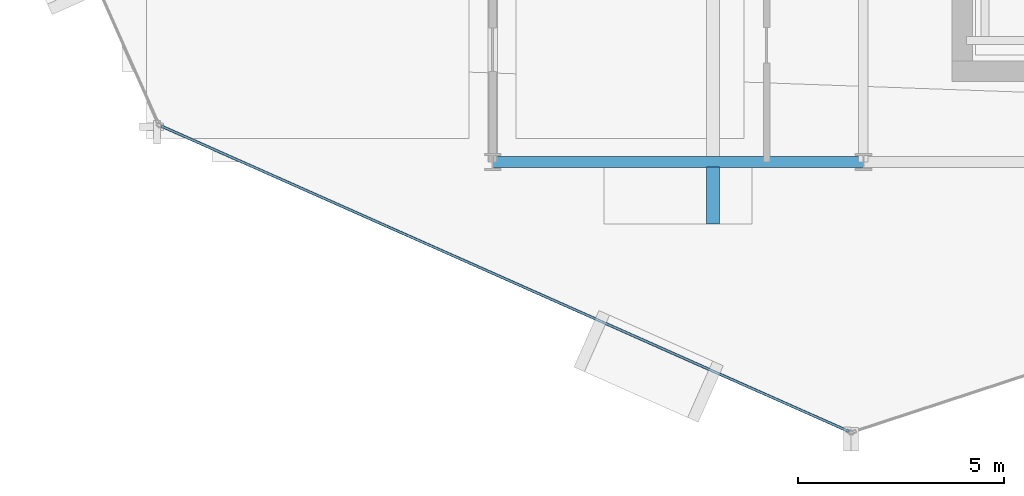
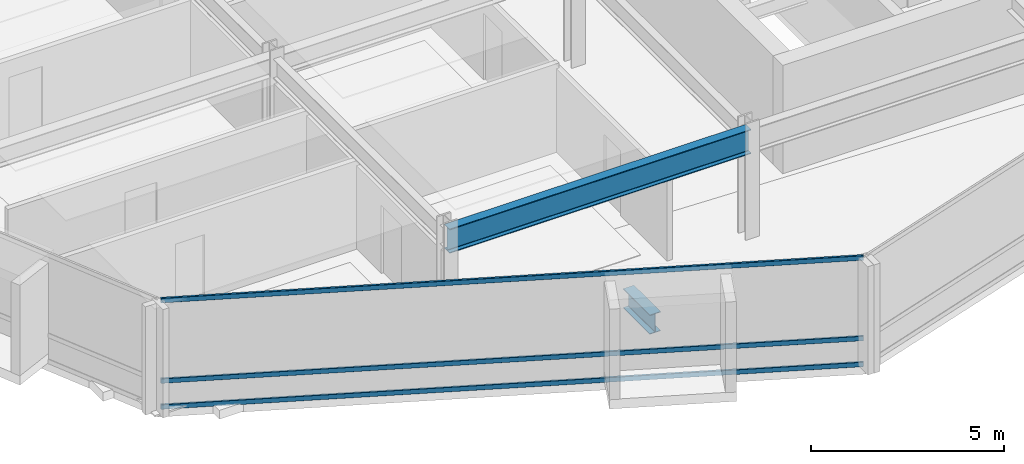
# One storey, part 3 of 27: 3 members, 2 beams, 1 element without a shape of its own.
"""IFC4 building model written with IfcOpenShell, lengths in metres."""

from ifc_helpers import new_model, si_unit, direction, frame, origin, origin_2d, place, context, subcontext, project, spatial, hollow_rectangle, i_section, extrude, material, layer, layer_set, material_profile, profile_set, type_object, element, aggregate, save


model = new_model("IFC4")

# Units and contexts
model_context = context("Model", 3, precision=1e-05, world=origin(), true_north=direction((0.0, 1.0)))
body_context = subcontext(model_context, "Body", "Model", "MODEL_VIEW")
ifc_project = project(units=[si_unit("LENGTHUNIT", "METRE"), si_unit("AREAUNIT", "SQUARE_METRE"), si_unit("VOLUMEUNIT", "CUBIC_METRE"), si_unit("PLANEANGLEUNIT", "RADIAN"), si_unit("MASSUNIT", "GRAM", prefix="KILO")], contexts=[model_context])

# Site, building, storey
site_placement = place(None, origin())
site = spatial("IfcSite", under=ifc_project, at=site_placement, CompositionType="ELEMENT")
building_placement = place(site_placement, origin())
building = spatial("IfcBuilding", under=site, at=building_placement, Name="Solvaryn Broadcast Tower", CompositionType="ELEMENT")
storey_placement = place(building_placement, frame((0.0, 0.0, 174.199951171875)))
storey = spatial("IfcBuildingStorey", under=building, at=storey_placement, Name="L43", CompositionType="ELEMENT", Elevation=174.199951171875)

# Beams
ifc_material_1 = material(Name="Steel ASTM A992 Grade 50", Category="steel")
ifc_material_profile_1 = material_profile(ifc_material_1, i_section(OverallWidth=0.323974609375, OverallDepth=0.611083984375, WebThickness=0.0126953125, FlangeThickness=0.01904296875, FilletRadius=0.014892578125, at=origin_2d()))
ifc_profile_set_1 = profile_set([ifc_material_profile_1], Name="Steel ASTM A992 Grade 50")
beam_type_1 = type_object("IfcBeamType", Name="BM-CANT-TER", PredefinedType="BEAM", material=ifc_profile_set_1)
beam_1_placement = place(storey_placement, frame((23.35009765625, 8.875, -0.58544921875), z_axis=(0.0, -1.0, 0.0), x_axis=(1.0, 0.0, 0.0)))
element("IfcBeam", 1, at=beam_1_placement, inside=storey, type_object=beam_type_1, Name="L43 Bay-Box Cantilever Bracket 1", PredefinedType="BEAM", context=body_context, shape_type="SweptSolid", body=[
    extrude(i_section(OverallWidth=0.323974609375, OverallDepth=0.611083984375, WebThickness=0.0126953125, FlangeThickness=0.01904296875, FilletRadius=0.014892578125, at=origin_2d()), origin(), (0.0, 0.0, 1.0), 1.375),
])
ifc_material_2 = material(Name="Steel ASTM A992 Grade 50", Category="steel")
ifc_material_profile_2 = material_profile(ifc_material_2, i_section(OverallWidth=0.26708984375, OverallDepth=0.76611328125, WebThickness=0.014892578125, FlangeThickness=0.023681640625, FilletRadius=0.01806640625, at=origin_2d()))
ifc_profile_set_2 = profile_set([ifc_material_profile_2], Name="Steel ASTM A992 Grade 50")
beam_type_2 = type_object("IfcBeamType", Name="BM-SP2-W30X124", PredefinedType="USERDEFINED", material=ifc_profile_set_2)
beam_2_placement = place(storey_placement, frame((18.0, 9.0, 3.037109375), z_axis=(1.0, 0.0, 0.0), x_axis=(0.0, 1.0, 0.0)))
element("IfcBeam", 2, at=beam_2_placement, inside=storey, type_object=beam_type_2, Name="L43 Spandrel Beam X (18-27 @ Y=9)", ObjectType="SPANDREL", PredefinedType="USERDEFINED", context=body_context, shape_type="SweptSolid", body=[
    extrude(i_section(OverallWidth=0.26708984375, OverallDepth=0.76611328125, WebThickness=0.014892578125, FlangeThickness=0.023681640625, FilletRadius=0.01806640625, at=origin_2d()), origin(), (0.0, 0.0, 1.0), 9.0),
])

# Curtain wall, members
ifc_material_3 = material(Name="Aluminium and Terracotta Unitised Curtain Wall", Category="masonry")
ifc_layer = layer(ifc_material_3, 0.199951171875)
ifc_layer_set = layer_set([ifc_layer], Name="CW-SYS2-LOWMID")
curtain_wall_type = type_object("IfcCurtainWallType", Name="CW-SYS2-LOWMID", PredefinedType="NOTDEFINED", material=ifc_layer_set)
curtain_wall_placement = place(storey_placement, origin())
curtain_wall = element("IfcCurtainWall", 3, at=curtain_wall_placement, inside=storey, type_object=curtain_wall_type, Name="L43 Curtain Wall DR3", PredefinedType="NOTDEFINED")
ifc_material_4 = material(Name="Anodised Aluminium 6063-T6", Category="aluminium")
ifc_material_profile_3 = material_profile(ifc_material_4, hollow_rectangle(XDim=0.06494140625, YDim=0.14990234375, WallThickness=0.00390625, InnerFilletRadius=0.00390625, OuterFilletRadius=0.008056640625, at=origin_2d()))
ifc_profile_set_3 = profile_set([ifc_material_profile_3], Name="Anodised Aluminium 6063-T6")
member_type = type_object("IfcMemberType", Name="CW-TRN-150", PredefinedType="USERDEFINED", material=ifc_profile_set_3)
member_1_placement = place(storey_placement, frame((9.952880859375, 9.87353515625, 0.030029296875), z_axis=(0.913916761992, -0.405901653299, 0.0), x_axis=(0.405901653299, 0.913916761992, 0.0)))
member_1 = element("IfcMember", 4, at=member_1_placement, type_object=member_type, Name="CWS2 transom 1.1", ObjectType="TRANSOM", PredefinedType="USERDEFINED", context=body_context, shape_type="SweptSolid", body=[
    extrude(hollow_rectangle(XDim=0.06494140625, YDim=0.14990234375, WallThickness=0.00390625, InnerFilletRadius=0.00390625, OuterFilletRadius=0.008056640625, at=origin_2d()), origin(), (0.0, 0.0, 1.0), 18.27099609375),
])
member_2_placement = place(storey_placement, frame((9.952880859375, 9.87353515625, 0.85009765625), z_axis=(0.913916761992, -0.405901653299, 0.0), x_axis=(0.405901653299, 0.913916761992, 0.0)))
member_2 = element("IfcMember", 5, at=member_2_placement, type_object=member_type, Name="CWS2 transom 1.2", ObjectType="TRANSOM", PredefinedType="USERDEFINED", context=body_context, shape_type="SweptSolid", body=[
    extrude(hollow_rectangle(XDim=0.06494140625, YDim=0.14990234375, WallThickness=0.00390625, InnerFilletRadius=0.00390625, OuterFilletRadius=0.008056640625, at=origin_2d()), origin(), (0.0, 0.0, 1.0), 18.27099609375),
])
member_3_placement = place(storey_placement, frame((9.952880859375, 9.87353515625, 3.39013671875), z_axis=(0.913916761992, -0.405901653299, 0.0), x_axis=(0.405901653299, 0.913916761992, 0.0)))
member_3 = element("IfcMember", 6, at=member_3_placement, type_object=member_type, Name="CWS2 transom 1.3", ObjectType="TRANSOM", PredefinedType="USERDEFINED", context=body_context, shape_type="SweptSolid", body=[
    extrude(hollow_rectangle(XDim=0.06494140625, YDim=0.14990234375, WallThickness=0.00390625, InnerFilletRadius=0.00390625, OuterFilletRadius=0.008056640625, at=origin_2d()), origin(), (0.0, 0.0, 1.0), 18.27099609375),
])
aggregate(curtain_wall, [member_1, member_2, member_3])

save(model, "model.ifc")
